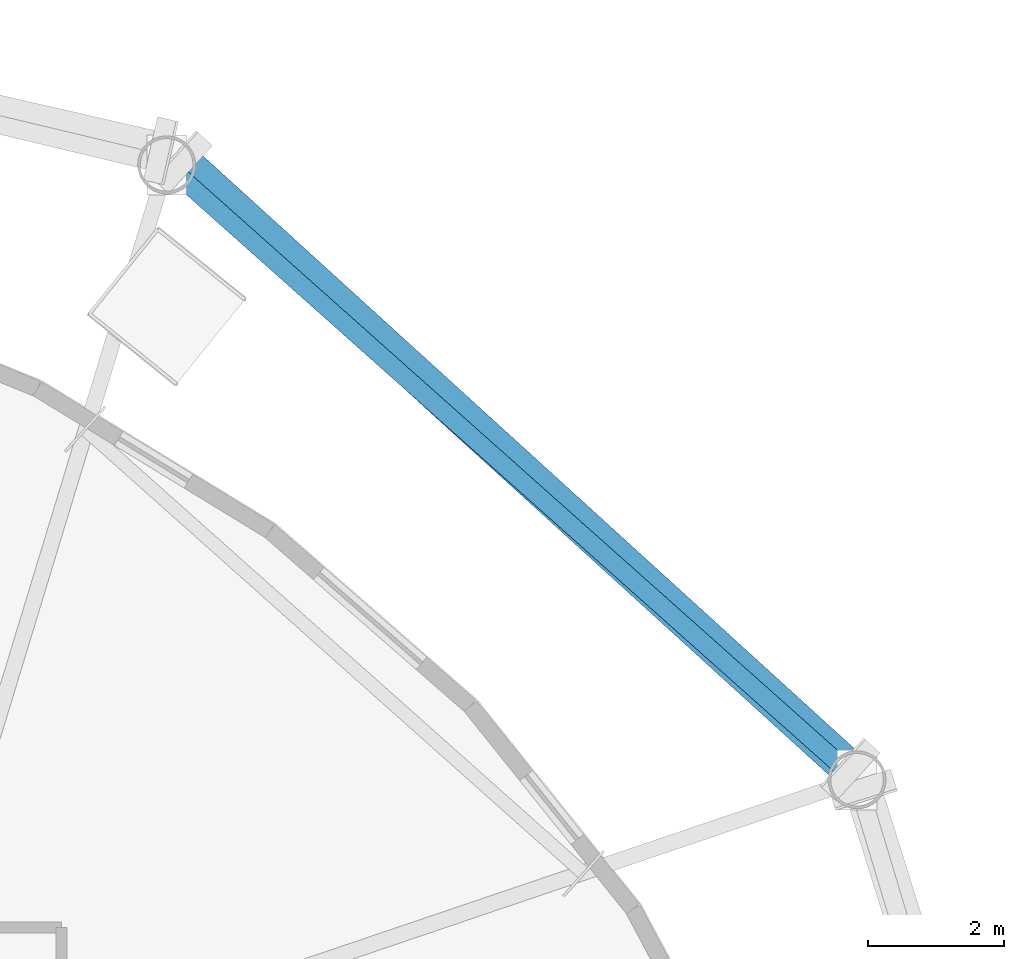
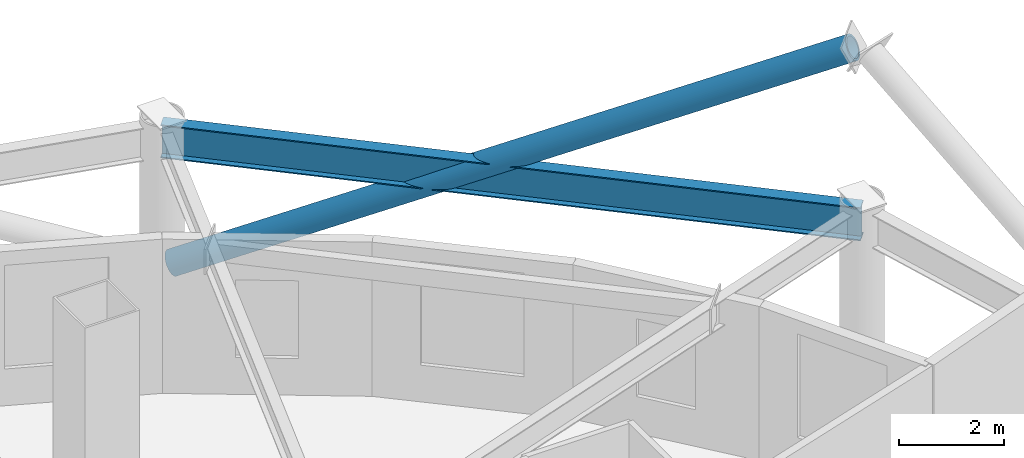
# One storey, part 20 of 33: 1 beam, 1 member.
"""IFC4 building model written with IfcOpenShell, lengths in metres."""

from ifc_helpers import new_model, si_unit, direction, frame, origin, origin_2d, place, context, subcontext, project, spatial, hollow_circle, i_section, extrude, material, material_profile, profile_set, type_object, element, save


model = new_model("IFC4")

# Units and contexts
model_context = context("Model", 3, precision=1e-05, world=origin(), true_north=direction((0.0, 1.0)))
body_context = subcontext(model_context, "Body", "Model", "MODEL_VIEW")
ifc_project = project(units=[si_unit("LENGTHUNIT", "METRE"), si_unit("AREAUNIT", "SQUARE_METRE"), si_unit("VOLUMEUNIT", "CUBIC_METRE"), si_unit("PLANEANGLEUNIT", "RADIAN"), si_unit("MASSUNIT", "GRAM", prefix="KILO")], contexts=[model_context])

# Site, building, storey
site_placement = place(None, origin())
site = spatial("IfcSite", under=ifc_project, at=site_placement, CompositionType="ELEMENT")
building_placement = place(site_placement, origin())
building = spatial("IfcBuilding", under=site, at=building_placement, Name="Vantalir Tower", CompositionType="ELEMENT")
storey_placement = place(building_placement, frame((0.0, 0.0, 72.0)))
storey = spatial("IfcBuildingStorey", under=building, at=storey_placement, Name="L17", CompositionType="ELEMENT", Elevation=72.0)

# Beam
ifc_material = material(Name="Steel S460", Category="steel")
ifc_material_profile_1 = material_profile(ifc_material, i_section(OverallWidth=0.26806640625, OverallDepth=0.77001953125, WebThickness=0.015625, FlangeThickness=0.025390625, at=origin_2d()), Name="Steel S460")
ifc_profile_set_1 = profile_set([ifc_material_profile_1], Name="Steel S460")
beam_type = type_object("IfcBeamType", Name="BM-RG-762x267", PredefinedType="USERDEFINED", material=ifc_profile_set_1)
beam_placement = place(storey_placement, frame((55.446044921875, 37.31396484375, 3.18505859375), z_axis=(-0.746727182206, 0.665130449878, 0.0), x_axis=(-0.665130449878, -0.746727182206, 0.0)))
element("IfcBeam", 1, at=beam_placement, inside=storey, type_object=beam_type, Name="L17 Circumferential Ring Girder 02", ObjectType="GIRDER", PredefinedType="USERDEFINED", context=body_context, shape_type="SweptSolid", body=[
    extrude(i_section(OverallWidth=0.26806640625, OverallDepth=0.77001953125, WebThickness=0.015625, FlangeThickness=0.025390625, at=origin_2d()), origin(), (0.0, 0.0, 1.0), 13.553955078125),
])

# Member
ifc_material_profile_2 = material_profile(ifc_material, hollow_circle(Radius=0.27001953125, WallThickness=0.044921875, at=origin_2d()), Name="Steel S460")
ifc_profile_set_2 = profile_set([ifc_material_profile_2], Name="Steel S460")
member_type = type_object("IfcMemberType", Name="MEM-DB-540x45", PredefinedType="BRACE", material=ifc_profile_set_2)
member_placement = place(storey_placement, frame((45.56396484375, 46.363037109375, 0.181884765625), z_axis=(0.654507849006, -0.595444181625, 0.46590310383), x_axis=(0.672943180865, 0.739694176891, 0.0)))
element("IfcMember", 2, at=member_placement, inside=storey, type_object=member_type, Name="L17 Perimeter S460 Diagrid Brace R07R", PredefinedType="BRACE", context=body_context, shape_type="SweptSolid", body=[
    extrude(hollow_circle(Radius=0.27001953125, WallThickness=0.044921875, at=origin_2d()), origin(), (0.0, 0.0, 1.0), 14.93017578125),
])

save(model, "model.ifc")
